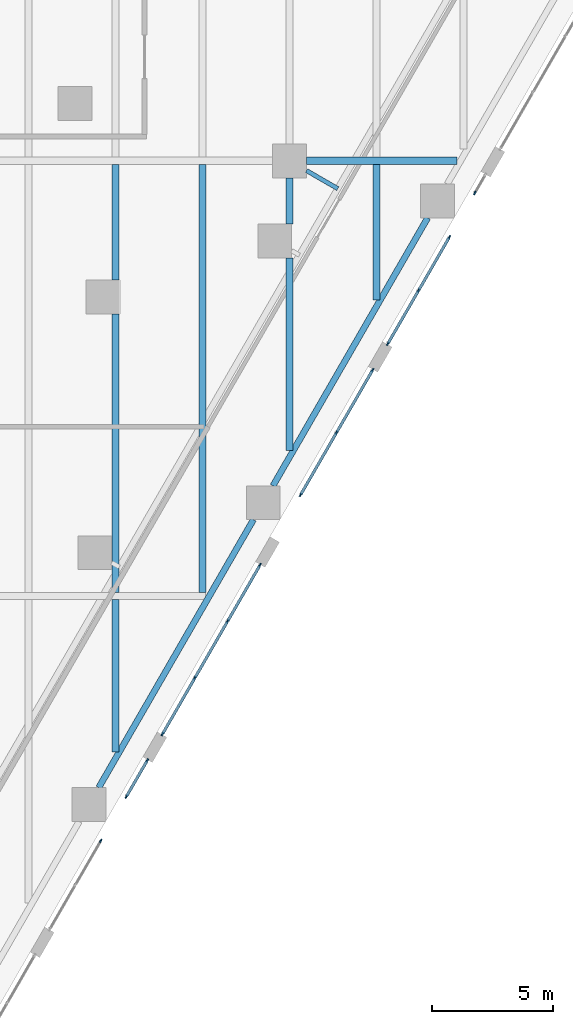
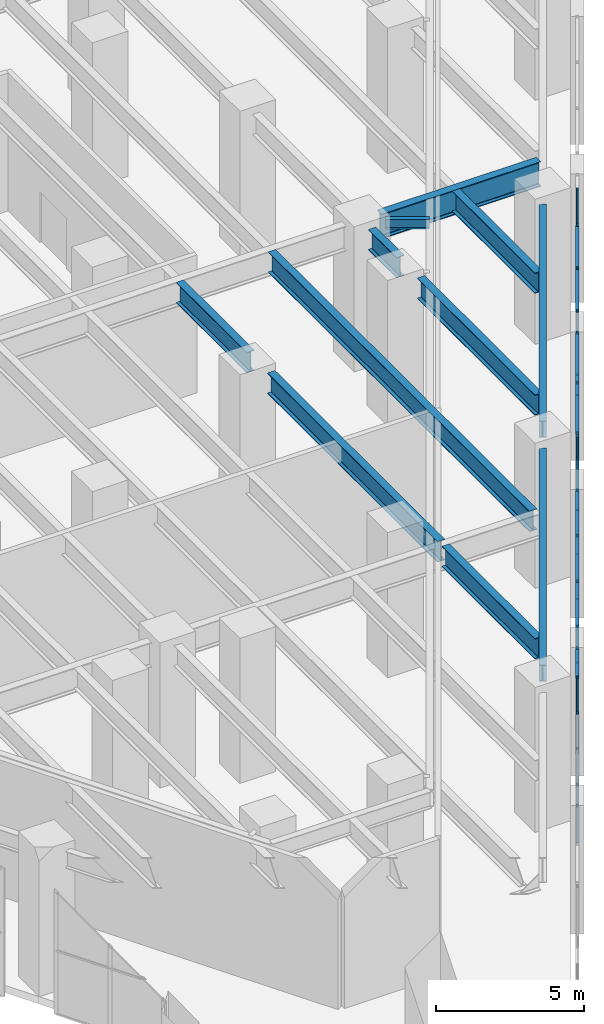
# One storey, part 10 of 37: 38 members, 11 beams, 6 elements without a shape of their own.
"""IFC4 building model written with IfcOpenShell, lengths in metres."""

from ifc_helpers import new_model, si_unit, direction, frame, origin, origin_2d, place, context, subcontext, project, spatial, rectangle, i_section, extrude, material, material_profile, profile_set, type_object, element, aggregate, save


model = new_model("IFC4")

# Units and contexts
model_context = context("Model", 3, precision=1e-05, world=origin(), true_north=direction((0.0, 1.0)))
body_context = subcontext(model_context, "Body", "Model", "MODEL_VIEW")
ifc_project = project(units=[si_unit("LENGTHUNIT", "METRE"), si_unit("AREAUNIT", "SQUARE_METRE"), si_unit("VOLUMEUNIT", "CUBIC_METRE"), si_unit("PLANEANGLEUNIT", "RADIAN"), si_unit("MASSUNIT", "GRAM", prefix="KILO")], contexts=[model_context])

# Site, building, storey
site_placement = place(None, origin())
site = spatial("IfcSite", under=ifc_project, at=site_placement, CompositionType="ELEMENT")
building_placement = place(site_placement, origin())
building = spatial("IfcBuilding", under=site, at=building_placement, Name="Aloe Facet Convention Tower", CompositionType="ELEMENT")
storey_placement = place(building_placement, frame((0.0, 0.0, 7.5)))
storey = spatial("IfcBuildingStorey", under=building, at=storey_placement, Name="L01", CompositionType="ELEMENT", Elevation=7.5)

# Beam
ifc_material_1 = material(Name="Steel S355", Category="steel")
ifc_material_profile_1 = material_profile(ifc_material_1, i_section(OverallWidth=0.177734375, OverallDepth=0.402587890625, WebThickness=0.0078125, FlangeThickness=0.010986328125, FilletRadius=0.01025390625, at=origin_2d()), Name="UB 406x178x54")
ifc_profile_set_1 = profile_set([ifc_material_profile_1], Name="Steel S355")
beam_type_1 = type_object("IfcBeamType", Name="EV-BR-UB406x178x54", PredefinedType="BEAM", material=ifc_profile_set_1)
beam_1_placement = place(storey_placement, frame((98.699951171875, 80.595947265625, 5.498779296875), z_axis=(0.866000409959, -0.500043288077, 0.0), x_axis=(0.500043288077, 0.866000409959, 0.0)))
element("IfcBeam", 1, at=beam_1_placement, inside=storey, type_object=beam_type_1, Name="EB-L02-E-BR01", PredefinedType="BEAM", context=body_context, shape_type="SweptSolid", body=[
    extrude(i_section(OverallWidth=0.177734375, OverallDepth=0.402587890625, WebThickness=0.0078125, FlangeThickness=0.010986328125, FilletRadius=0.01025390625, at=origin_2d()), origin(), (0.0, 0.0, 1.0), 1.492919921875),
])

# Curtain wall, member
ifc_material_2 = material(Name="Aluminium, anodised", Category="aluminium")
curtain_wall_type = type_object("IfcCurtainWallType", Name="EV-CW-SHOP", PredefinedType="USERDEFINED", material=ifc_material_2)
curtain_wall_1_placement = place(storey_placement, origin())
curtain_wall_1 = element("IfcCurtainWall", 2, at=curtain_wall_1_placement, inside=storey, type_object=curtain_wall_type, Name="CW-L01-E04-1", ObjectType="STICK SHOPFRONT GLAZING", PredefinedType="USERDEFINED")
ifc_material_3 = material(Name="Aluminium, anodised", Category="aluminium")
ifc_material_profile_2 = material_profile(ifc_material_3, rectangle(XDim=0.06005859375, YDim=0.159912109375, at=origin_2d()), Name="AL 60x160")
ifc_profile_set_2 = profile_set([ifc_material_profile_2], Name="Aluminium, anodised")
member_type_1 = type_object("IfcMemberType", Name="EV-MULL-SHOP", PredefinedType="MULLION", material=ifc_profile_set_2)
member_1_placement = place(storey_placement, frame((90.190673828125, 52.87109375, -0.300048828125), z_axis=(0.0, 0.0, 1.0), x_axis=(-0.866025403811, 0.499999999955, 0.0)))
member_1 = element("IfcMember", 3, at=member_1_placement, type_object=member_type_1, Name="CW-L01-E04-1 mullion 3", PredefinedType="MULLION", context=body_context, shape_type="SweptSolid", body=[
    extrude(rectangle(XDim=0.06005859375, YDim=0.159912109375, at=origin_2d()), origin(), (0.0, 0.0, 1.0), 5.3125),
])
aggregate(curtain_wall_1, [member_1])

# Curtain wall, members
curtain_wall_2_placement = place(storey_placement, origin())
curtain_wall_2 = element("IfcCurtainWall", 4, at=curtain_wall_2_placement, inside=storey, type_object=curtain_wall_type, Name="CW-L01-E04-2", ObjectType="STICK SHOPFRONT GLAZING", PredefinedType="USERDEFINED")
member_2_placement = place(storey_placement, frame((91.2451171875, 54.697509765625, -0.300048828125), z_axis=(0.0, 0.0, 1.0), x_axis=(-0.866025403715, 0.500000000121, 0.0)))
member_2 = element("IfcMember", 5, at=member_2_placement, type_object=member_type_1, Name="CW-L01-E04-2 mullion 1", PredefinedType="MULLION", context=body_context, shape_type="SweptSolid", body=[
    extrude(rectangle(XDim=0.06005859375, YDim=0.159912109375, at=origin_2d()), origin(), (0.0, 0.0, 1.0), 5.3125),
])
member_3_placement = place(storey_placement, frame((92.111572265625, 56.1982421875, -0.300048828125), z_axis=(0.0, 0.0, 1.0), x_axis=(-0.866025403715, 0.500000000121, 0.0)))
member_3 = element("IfcMember", 6, at=member_3_placement, type_object=member_type_1, Name="CW-L01-E04-2 mullion 2", PredefinedType="MULLION", context=body_context, shape_type="SweptSolid", body=[
    extrude(rectangle(XDim=0.06005859375, YDim=0.159912109375, at=origin_2d()), origin(), (0.0, 0.0, 1.0), 5.3125),
])

curtain_wall_3_placement = place(storey_placement, origin())
curtain_wall_3 = element("IfcCurtainWall", 7, at=curtain_wall_3_placement, inside=storey, type_object=curtain_wall_type, Name="CW-L01-E06", ObjectType="STICK SHOPFRONT GLAZING", PredefinedType="USERDEFINED")
member_4_placement = place(storey_placement, frame((92.741455078125, 57.28955078125, -0.300048828125), z_axis=(0.0, 0.0, 1.0), x_axis=(-0.866025403828, 0.499999999924, 0.0)))
member_4 = element("IfcMember", 8, at=member_4_placement, type_object=member_type_1, Name="CW-L01-E06 mullion 1", PredefinedType="MULLION", context=body_context, shape_type="SweptSolid", body=[
    extrude(rectangle(XDim=0.06005859375, YDim=0.159912109375, at=origin_2d()), origin(), (0.0, 0.0, 1.0), 5.3125),
])
member_5_placement = place(storey_placement, frame((94.080078125, 59.60791015625, -0.300048828125), z_axis=(0.0, 0.0, 1.0), x_axis=(-0.866025403828, 0.499999999924, 0.0)))
member_5 = element("IfcMember", 9, at=member_5_placement, type_object=member_type_1, Name="CW-L01-E06 mullion 2", PredefinedType="MULLION", context=body_context, shape_type="SweptSolid", body=[
    extrude(rectangle(XDim=0.06005859375, YDim=0.159912109375, at=origin_2d()), origin(), (0.0, 0.0, 1.0), 5.3125),
])
member_6_placement = place(storey_placement, frame((95.43359375, 61.952392578125, -0.300048828125), z_axis=(0.0, 0.0, 1.0), x_axis=(-0.866025403828, 0.499999999924, 0.0)))
member_6 = element("IfcMember", 10, at=member_6_placement, type_object=member_type_1, Name="CW-L01-E06 mullion 3", PredefinedType="MULLION", context=body_context, shape_type="SweptSolid", body=[
    extrude(rectangle(XDim=0.06005859375, YDim=0.159912109375, at=origin_2d()), origin(), (0.0, 0.0, 1.0), 5.3125),
])
member_7_placement = place(storey_placement, frame((96.772216796875, 64.270751953125, -0.300048828125), z_axis=(0.0, 0.0, 1.0), x_axis=(-0.866025403828, 0.499999999924, 0.0)))
member_7 = element("IfcMember", 11, at=member_7_placement, type_object=member_type_1, Name="CW-L01-E06 mullion 4", PredefinedType="MULLION", context=body_context, shape_type="SweptSolid", body=[
    extrude(rectangle(XDim=0.06005859375, YDim=0.159912109375, at=origin_2d()), origin(), (0.0, 0.0, 1.0), 5.3125),
])

curtain_wall_4_placement = place(storey_placement, origin())
curtain_wall_4 = element("IfcCurtainWall", 12, at=curtain_wall_4_placement, inside=storey, type_object=curtain_wall_type, Name="CW-L01-E08", ObjectType="STICK SHOPFRONT GLAZING", PredefinedType="USERDEFINED")
member_8_placement = place(storey_placement, frame((98.45361328125, 67.182861328125, -0.300048828125), z_axis=(0.0, 0.0, 1.0), x_axis=(-0.866025403767, 0.50000000003, 0.0)))
member_8 = element("IfcMember", 13, at=member_8_placement, type_object=member_type_1, Name="CW-L01-E08 mullion 1", PredefinedType="MULLION", context=body_context, shape_type="SweptSolid", body=[
    extrude(rectangle(XDim=0.06005859375, YDim=0.159912109375, at=origin_2d()), origin(), (0.0, 0.0, 1.0), 5.3125),
])
member_9_placement = place(storey_placement, frame((99.943115234375, 69.76318359375, -0.300048828125), z_axis=(0.0, 0.0, 1.0), x_axis=(-0.866025403767, 0.50000000003, 0.0)))
member_9 = element("IfcMember", 14, at=member_9_placement, type_object=member_type_1, Name="CW-L01-E08 mullion 2", PredefinedType="MULLION", context=body_context, shape_type="SweptSolid", body=[
    extrude(rectangle(XDim=0.06005859375, YDim=0.159912109375, at=origin_2d()), origin(), (0.0, 0.0, 1.0), 5.3125),
])
member_10_placement = place(storey_placement, frame((101.432861328125, 72.34326171875, -0.300048828125), z_axis=(0.0, 0.0, 1.0), x_axis=(-0.866025403767, 0.50000000003, 0.0)))
member_10 = element("IfcMember", 15, at=member_10_placement, type_object=member_type_1, Name="CW-L01-E08 mullion 3", PredefinedType="MULLION", context=body_context, shape_type="SweptSolid", body=[
    extrude(rectangle(XDim=0.06005859375, YDim=0.159912109375, at=origin_2d()), origin(), (0.0, 0.0, 1.0), 5.3125),
])

curtain_wall_5_placement = place(storey_placement, origin())
curtain_wall_5 = element("IfcCurtainWall", 16, at=curtain_wall_5_placement, inside=storey, type_object=curtain_wall_type, Name="CW-L01-E10-1", ObjectType="STICK SHOPFRONT GLAZING", PredefinedType="USERDEFINED")
member_11_placement = place(storey_placement, frame((102.06298828125, 73.4345703125, -0.300048828125), z_axis=(0.0, 0.0, 1.0), x_axis=(-0.866025403767, 0.50000000003, 0.0)))
member_11 = element("IfcMember", 17, at=member_11_placement, type_object=member_type_1, Name="CW-L01-E10-1 mullion 1", PredefinedType="MULLION", context=body_context, shape_type="SweptSolid", body=[
    extrude(rectangle(XDim=0.06005859375, YDim=0.159912109375, at=origin_2d()), origin(), (0.0, 0.0, 1.0), 5.3125),
])
member_12_placement = place(storey_placement, frame((103.335205078125, 75.638427734375, -0.300048828125), z_axis=(0.0, 0.0, 1.0), x_axis=(-0.866025403767, 0.50000000003, 0.0)))
member_12 = element("IfcMember", 18, at=member_12_placement, type_object=member_type_1, Name="CW-L01-E10-1 mullion 2", PredefinedType="MULLION", context=body_context, shape_type="SweptSolid", body=[
    extrude(rectangle(XDim=0.06005859375, YDim=0.159912109375, at=origin_2d()), origin(), (0.0, 0.0, 1.0), 5.3125),
])
member_13_placement = place(storey_placement, frame((104.607666015625, 77.842041015625, -0.300048828125), z_axis=(0.0, 0.0, 1.0), x_axis=(-0.866025403767, 0.50000000003, 0.0)))
member_13 = element("IfcMember", 19, at=member_13_placement, type_object=member_type_1, Name="CW-L01-E10-1 mullion 3", PredefinedType="MULLION", context=body_context, shape_type="SweptSolid", body=[
    extrude(rectangle(XDim=0.06005859375, YDim=0.159912109375, at=origin_2d()), origin(), (0.0, 0.0, 1.0), 5.3125),
])

# Curtain wall, member
curtain_wall_6_placement = place(storey_placement, origin())
curtain_wall_6 = element("IfcCurtainWall", 20, at=curtain_wall_6_placement, inside=storey, type_object=curtain_wall_type, Name="CW-L01-E10-2", ObjectType="STICK SHOPFRONT GLAZING", PredefinedType="USERDEFINED")
member_14_placement = place(storey_placement, frame((105.662109375, 79.668701171875, -0.300048828125), z_axis=(0.0, 0.0, 1.0), x_axis=(-0.866025403872, 0.499999999849, 0.0)))
member_14 = element("IfcMember", 21, at=member_14_placement, type_object=member_type_1, Name="CW-L01-E10-2 mullion 1", PredefinedType="MULLION", context=body_context, shape_type="SweptSolid", body=[
    extrude(rectangle(XDim=0.06005859375, YDim=0.159912109375, at=origin_2d()), origin(), (0.0, 0.0, 1.0), 5.3125),
])
aggregate(curtain_wall_6, [member_14])

# Member
ifc_material_4 = material(Name="Aluminium, anodised", Category="aluminium")
ifc_material_profile_3 = material_profile(ifc_material_4, rectangle(XDim=0.1201171875, YDim=0.06005859375, at=origin_2d()), Name="AL 120x60")
ifc_profile_set_3 = profile_set([ifc_material_profile_3], Name="Aluminium, anodised")
member_type_2 = type_object("IfcMemberType", Name="EV-TRAN-SHOP", PredefinedType="USERDEFINED", material=ifc_profile_set_3)
member_15_placement = place(storey_placement, frame((91.260009765625, 54.7236328125, -0.27001953125), z_axis=(0.500000383388, 0.866025182435, 0.0), x_axis=(-0.866025182435, 0.500000383388, 0.0)))
member_15 = element("IfcMember", 22, at=member_15_placement, type_object=member_type_2, Name="CW-L01-E04-2 transom 1.1", ObjectType="TRANSOM", PredefinedType="USERDEFINED", context=body_context, shape_type="SweptSolid", body=[
    extrude(rectangle(XDim=0.1201171875, YDim=0.06005859375, at=origin_2d()), origin(), (0.0, 0.0, 1.0), 1.6728515625),
])

member_16_placement = place(storey_placement, frame((91.260009765625, 54.7236328125, 2.356201171875), z_axis=(0.500000383388, 0.866025182435, 0.0), x_axis=(-0.866025182435, 0.500000383388, 0.0)))
member_16 = element("IfcMember", 23, at=member_16_placement, type_object=member_type_2, Name="CW-L01-E04-2 transom 1.2", ObjectType="TRANSOM", PredefinedType="USERDEFINED", context=body_context, shape_type="SweptSolid", body=[
    extrude(rectangle(XDim=0.1201171875, YDim=0.06005859375, at=origin_2d()), origin(), (0.0, 0.0, 1.0), 1.6728515625),
])

member_17_placement = place(storey_placement, frame((91.260009765625, 54.7236328125, 4.982421875), z_axis=(0.500000383388, 0.866025182435, 0.0), x_axis=(-0.866025182435, 0.500000383388, 0.0)))
member_17 = element("IfcMember", 24, at=member_17_placement, type_object=member_type_2, Name="CW-L01-E04-2 transom 1.3", ObjectType="TRANSOM", PredefinedType="USERDEFINED", context=body_context, shape_type="SweptSolid", body=[
    extrude(rectangle(XDim=0.1201171875, YDim=0.06005859375, at=origin_2d()), origin(), (0.0, 0.0, 1.0), 1.6728515625),
])

aggregate(curtain_wall_2, [member_2, member_3, member_15, member_16, member_17])

member_18_placement = place(storey_placement, frame((92.756591796875, 57.3154296875, -0.27001953125), z_axis=(0.49999161165, 0.866030246746, 0.0), x_axis=(-0.866030246746, 0.49999161165, 0.0)))
member_18 = element("IfcMember", 25, at=member_18_placement, type_object=member_type_2, Name="CW-L01-E06 transom 1.1", ObjectType="TRANSOM", PredefinedType="USERDEFINED", context=body_context, shape_type="SweptSolid", body=[
    extrude(rectangle(XDim=0.1201171875, YDim=0.06005859375, at=origin_2d()), origin(), (0.0, 0.0, 1.0), 2.6171875),
])

member_19_placement = place(storey_placement, frame((92.756591796875, 57.3154296875, 2.356201171875), z_axis=(0.49999161165, 0.866030246746, 0.0), x_axis=(-0.866030246746, 0.49999161165, 0.0)))
member_19 = element("IfcMember", 26, at=member_19_placement, type_object=member_type_2, Name="CW-L01-E06 transom 1.2", ObjectType="TRANSOM", PredefinedType="USERDEFINED", context=body_context, shape_type="SweptSolid", body=[
    extrude(rectangle(XDim=0.1201171875, YDim=0.06005859375, at=origin_2d()), origin(), (0.0, 0.0, 1.0), 2.6171875),
])

member_20_placement = place(storey_placement, frame((92.756591796875, 57.3154296875, 4.982421875), z_axis=(0.49999161165, 0.866030246746, 0.0), x_axis=(-0.866030246746, 0.49999161165, 0.0)))
member_20 = element("IfcMember", 27, at=member_20_placement, type_object=member_type_2, Name="CW-L01-E06 transom 1.3", ObjectType="TRANSOM", PredefinedType="USERDEFINED", context=body_context, shape_type="SweptSolid", body=[
    extrude(rectangle(XDim=0.1201171875, YDim=0.06005859375, at=origin_2d()), origin(), (0.0, 0.0, 1.0), 2.6171875),
])

member_21_placement = place(storey_placement, frame((94.094970703125, 59.6337890625, -0.27001953125), z_axis=(0.500047101561, 0.865998207978, 0.0), x_axis=(-0.865998207978, 0.500047101561, 0.0)))
member_21 = element("IfcMember", 28, at=member_21_placement, type_object=member_type_2, Name="CW-L01-E06 transom 2.1", ObjectType="TRANSOM", PredefinedType="USERDEFINED", context=body_context, shape_type="SweptSolid", body=[
    extrude(rectangle(XDim=0.1201171875, YDim=0.06005859375, at=origin_2d()), origin(), (0.0, 0.0, 1.0), 2.647216796875),
])

member_22_placement = place(storey_placement, frame((94.094970703125, 59.6337890625, 2.356201171875), z_axis=(0.500047101561, 0.865998207978, 0.0), x_axis=(-0.865998207978, 0.500047101561, 0.0)))
member_22 = element("IfcMember", 29, at=member_22_placement, type_object=member_type_2, Name="CW-L01-E06 transom 2.2", ObjectType="TRANSOM", PredefinedType="USERDEFINED", context=body_context, shape_type="SweptSolid", body=[
    extrude(rectangle(XDim=0.1201171875, YDim=0.06005859375, at=origin_2d()), origin(), (0.0, 0.0, 1.0), 2.647216796875),
])

member_23_placement = place(storey_placement, frame((94.094970703125, 59.6337890625, 4.982421875), z_axis=(0.500047101561, 0.865998207978, 0.0), x_axis=(-0.865998207978, 0.500047101561, 0.0)))
member_23 = element("IfcMember", 30, at=member_23_placement, type_object=member_type_2, Name="CW-L01-E06 transom 2.3", ObjectType="TRANSOM", PredefinedType="USERDEFINED", context=body_context, shape_type="SweptSolid", body=[
    extrude(rectangle(XDim=0.1201171875, YDim=0.06005859375, at=origin_2d()), origin(), (0.0, 0.0, 1.0), 2.647216796875),
])

member_24_placement = place(storey_placement, frame((95.44873046875, 61.978271484375, -0.27001953125), z_axis=(0.49992164446, 0.86607063765, 0.0), x_axis=(-0.86607063765, 0.49992164446, 0.0)))
member_24 = element("IfcMember", 31, at=member_24_placement, type_object=member_type_2, Name="CW-L01-E06 transom 3.1", ObjectType="TRANSOM", PredefinedType="USERDEFINED", context=body_context, shape_type="SweptSolid", body=[
    extrude(rectangle(XDim=0.1201171875, YDim=0.06005859375, at=origin_2d()), origin(), (0.0, 0.0, 1.0), 2.6171875),
])

member_25_placement = place(storey_placement, frame((95.44873046875, 61.978271484375, 2.356201171875), z_axis=(0.49992164446, 0.86607063765, 0.0), x_axis=(-0.86607063765, 0.49992164446, 0.0)))
member_25 = element("IfcMember", 32, at=member_25_placement, type_object=member_type_2, Name="CW-L01-E06 transom 3.2", ObjectType="TRANSOM", PredefinedType="USERDEFINED", context=body_context, shape_type="SweptSolid", body=[
    extrude(rectangle(XDim=0.1201171875, YDim=0.06005859375, at=origin_2d()), origin(), (0.0, 0.0, 1.0), 2.6171875),
])

member_26_placement = place(storey_placement, frame((95.44873046875, 61.978271484375, 4.982421875), z_axis=(0.49992164446, 0.86607063765, 0.0), x_axis=(-0.86607063765, 0.49992164446, 0.0)))
member_26 = element("IfcMember", 33, at=member_26_placement, type_object=member_type_2, Name="CW-L01-E06 transom 3.3", ObjectType="TRANSOM", PredefinedType="USERDEFINED", context=body_context, shape_type="SweptSolid", body=[
    extrude(rectangle(XDim=0.1201171875, YDim=0.06005859375, at=origin_2d()), origin(), (0.0, 0.0, 1.0), 2.6171875),
])

aggregate(curtain_wall_3, [member_4, member_5, member_6, member_7, member_18, member_19, member_20, member_21, member_22, member_23, member_24, member_25, member_26])

member_27_placement = place(storey_placement, frame((98.468505859375, 67.208984375, -0.27001953125), z_axis=(0.500033742649, 0.86600592158, 0.0), x_axis=(-0.86600592158, 0.500033742649, 0.0)))
member_27 = element("IfcMember", 34, at=member_27_placement, type_object=member_type_2, Name="CW-L01-E08 transom 1.1", ObjectType="TRANSOM", PredefinedType="USERDEFINED", context=body_context, shape_type="SweptSolid", body=[
    extrude(rectangle(XDim=0.1201171875, YDim=0.06005859375, at=origin_2d()), origin(), (0.0, 0.0, 1.0), 2.919189453125),
])

member_28_placement = place(storey_placement, frame((98.468505859375, 67.208984375, 2.356201171875), z_axis=(0.500033742649, 0.86600592158, 0.0), x_axis=(-0.86600592158, 0.500033742649, 0.0)))
member_28 = element("IfcMember", 35, at=member_28_placement, type_object=member_type_2, Name="CW-L01-E08 transom 1.2", ObjectType="TRANSOM", PredefinedType="USERDEFINED", context=body_context, shape_type="SweptSolid", body=[
    extrude(rectangle(XDim=0.1201171875, YDim=0.06005859375, at=origin_2d()), origin(), (0.0, 0.0, 1.0), 2.919189453125),
])

member_29_placement = place(storey_placement, frame((98.468505859375, 67.208984375, 4.982421875), z_axis=(0.500033742649, 0.86600592158, 0.0), x_axis=(-0.86600592158, 0.500033742649, 0.0)))
member_29 = element("IfcMember", 36, at=member_29_placement, type_object=member_type_2, Name="CW-L01-E08 transom 1.3", ObjectType="TRANSOM", PredefinedType="USERDEFINED", context=body_context, shape_type="SweptSolid", body=[
    extrude(rectangle(XDim=0.1201171875, YDim=0.06005859375, at=origin_2d()), origin(), (0.0, 0.0, 1.0), 2.919189453125),
])

member_30_placement = place(storey_placement, frame((99.958251953125, 69.7890625, -0.27001953125), z_axis=(0.499997529631, 0.866026830048, 0.0), x_axis=(-0.866026830048, 0.499997529631, 0.0)))
member_30 = element("IfcMember", 37, at=member_30_placement, type_object=member_type_2, Name="CW-L01-E08 transom 2.1", ObjectType="TRANSOM", PredefinedType="USERDEFINED", context=body_context, shape_type="SweptSolid", body=[
    extrude(rectangle(XDim=0.1201171875, YDim=0.06005859375, at=origin_2d()), origin(), (0.0, 0.0, 1.0), 2.91943359375),
])

member_31_placement = place(storey_placement, frame((99.958251953125, 69.7890625, 2.356201171875), z_axis=(0.499997529631, 0.866026830048, 0.0), x_axis=(-0.866026830048, 0.499997529631, 0.0)))
member_31 = element("IfcMember", 38, at=member_31_placement, type_object=member_type_2, Name="CW-L01-E08 transom 2.2", ObjectType="TRANSOM", PredefinedType="USERDEFINED", context=body_context, shape_type="SweptSolid", body=[
    extrude(rectangle(XDim=0.1201171875, YDim=0.06005859375, at=origin_2d()), origin(), (0.0, 0.0, 1.0), 2.91943359375),
])

member_32_placement = place(storey_placement, frame((99.958251953125, 69.7890625, 4.982421875), z_axis=(0.499997529631, 0.866026830048, 0.0), x_axis=(-0.866026830048, 0.499997529631, 0.0)))
member_32 = element("IfcMember", 39, at=member_32_placement, type_object=member_type_2, Name="CW-L01-E08 transom 2.3", ObjectType="TRANSOM", PredefinedType="USERDEFINED", context=body_context, shape_type="SweptSolid", body=[
    extrude(rectangle(XDim=0.1201171875, YDim=0.06005859375, at=origin_2d()), origin(), (0.0, 0.0, 1.0), 2.91943359375),
])

aggregate(curtain_wall_4, [member_8, member_9, member_10, member_27, member_28, member_29, member_30, member_31, member_32])

member_33_placement = place(storey_placement, frame((102.077880859375, 73.46044921875, -0.27001953125), z_axis=(0.50001729717, 0.866015417028, 0.0), x_axis=(-0.866015417028, 0.50001729717, 0.0)))
member_33 = element("IfcMember", 40, at=member_33_placement, type_object=member_type_2, Name="CW-L01-E10-1 transom 1.1", ObjectType="TRANSOM", PredefinedType="USERDEFINED", context=body_context, shape_type="SweptSolid", body=[
    extrude(rectangle(XDim=0.1201171875, YDim=0.06005859375, at=origin_2d()), origin(), (0.0, 0.0, 1.0), 2.48486328125),
])

member_34_placement = place(storey_placement, frame((102.077880859375, 73.46044921875, 2.356201171875), z_axis=(0.50001729717, 0.866015417028, 0.0), x_axis=(-0.866015417028, 0.50001729717, 0.0)))
member_34 = element("IfcMember", 41, at=member_34_placement, type_object=member_type_2, Name="CW-L01-E10-1 transom 1.2", ObjectType="TRANSOM", PredefinedType="USERDEFINED", context=body_context, shape_type="SweptSolid", body=[
    extrude(rectangle(XDim=0.1201171875, YDim=0.06005859375, at=origin_2d()), origin(), (0.0, 0.0, 1.0), 2.48486328125),
])

member_35_placement = place(storey_placement, frame((102.077880859375, 73.46044921875, 4.982421875), z_axis=(0.50001729717, 0.866015417028, 0.0), x_axis=(-0.866015417028, 0.50001729717, 0.0)))
member_35 = element("IfcMember", 42, at=member_35_placement, type_object=member_type_2, Name="CW-L01-E10-1 transom 1.3", ObjectType="TRANSOM", PredefinedType="USERDEFINED", context=body_context, shape_type="SweptSolid", body=[
    extrude(rectangle(XDim=0.1201171875, YDim=0.06005859375, at=origin_2d()), origin(), (0.0, 0.0, 1.0), 2.48486328125),
])

member_36_placement = place(storey_placement, frame((103.350341796875, 75.664306640625, -0.27001953125), z_axis=(0.499943602543, 0.866057962423, 0.0), x_axis=(-0.866057962423, 0.499943602543, 0.0)))
member_36 = element("IfcMember", 43, at=member_36_placement, type_object=member_type_2, Name="CW-L01-E10-1 transom 2.1", ObjectType="TRANSOM", PredefinedType="USERDEFINED", context=body_context, shape_type="SweptSolid", body=[
    extrude(rectangle(XDim=0.1201171875, YDim=0.06005859375, at=origin_2d()), origin(), (0.0, 0.0, 1.0), 2.484619140625),
])

member_37_placement = place(storey_placement, frame((103.350341796875, 75.664306640625, 2.356201171875), z_axis=(0.499943602543, 0.866057962423, 0.0), x_axis=(-0.866057962423, 0.499943602543, 0.0)))
member_37 = element("IfcMember", 44, at=member_37_placement, type_object=member_type_2, Name="CW-L01-E10-1 transom 2.2", ObjectType="TRANSOM", PredefinedType="USERDEFINED", context=body_context, shape_type="SweptSolid", body=[
    extrude(rectangle(XDim=0.1201171875, YDim=0.06005859375, at=origin_2d()), origin(), (0.0, 0.0, 1.0), 2.484619140625),
])

member_38_placement = place(storey_placement, frame((103.350341796875, 75.664306640625, 4.982421875), z_axis=(0.499943602543, 0.866057962423, 0.0), x_axis=(-0.866057962423, 0.499943602543, 0.0)))
member_38 = element("IfcMember", 45, at=member_38_placement, type_object=member_type_2, Name="CW-L01-E10-1 transom 2.3", ObjectType="TRANSOM", PredefinedType="USERDEFINED", context=body_context, shape_type="SweptSolid", body=[
    extrude(rectangle(XDim=0.1201171875, YDim=0.06005859375, at=origin_2d()), origin(), (0.0, 0.0, 1.0), 2.484619140625),
])

aggregate(curtain_wall_5, [member_11, member_12, member_13, member_33, member_34, member_35, member_36, member_37, member_38])

# Beams
ifc_material_5 = material(Name="Steel S355", Category="steel")
ifc_material_profile_4 = material_profile(ifc_material_5, i_section(OverallWidth=0.305419921875, OverallDepth=1.02587890625, WebThickness=0.02001953125, FlangeThickness=0.031005859375, FilletRadius=0.030029296875, at=origin_2d()), Name="UB 1016x305x349")
ifc_profile_set_4 = profile_set([ifc_material_profile_4], Name="Steel S355")
beam_type_2 = type_object("IfcBeamType", Name="SF-B-UB1016x305x349", PredefinedType="BEAM", material=ifc_profile_set_4)
beam_2_placement = place(storey_placement, frame((98.699951171875, 81.0, 5.18701171875), z_axis=(1.0, 0.0, 0.0), x_axis=(0.0, 1.0, 0.0)))
element("IfcBeam", 46, at=beam_2_placement, inside=storey, type_object=beam_type_2, Name="Floor beam FB-L02-045", PredefinedType="BEAM", context=body_context, shape_type="SweptSolid", body=[
    extrude(i_section(OverallWidth=0.305419921875, OverallDepth=1.02587890625, WebThickness=0.02001953125, FlangeThickness=0.031005859375, FilletRadius=0.030029296875, at=origin_2d()), origin(), (0.0, 0.0, 1.0), 6.217041015625),
])
ifc_material_6 = material(Name="Steel S355", Category="steel")
ifc_material_profile_5 = material_profile(ifc_material_6, i_section(OverallWidth=0.25439453125, OverallDepth=0.6875, WebThickness=0.01318359375, FlangeThickness=0.02099609375, FilletRadius=0.01513671875, at=origin_2d()), Name="UB 686x254x152")
ifc_profile_set_5 = profile_set([ifc_material_profile_5], Name="Steel S355")
beam_type_3 = type_object("IfcBeamType", Name="SF-B-UB686x254x152", PredefinedType="BEAM", material=ifc_profile_set_5)
beam_3_placement = place(storey_placement, frame((96.50439453125, 66.156982421875, 5.356201171875), z_axis=(-0.499999833739, -0.866025499775, 0.0), x_axis=(0.866025499775, -0.499999833739, 0.0)))
element("IfcBeam", 47, at=beam_3_placement, inside=storey, type_object=beam_type_3, Name="Floor beam FB-L02-018", PredefinedType="BEAM", context=body_context, shape_type="SweptSolid", body=[
    extrude(i_section(OverallWidth=0.25439453125, OverallDepth=0.6875, WebThickness=0.01318359375, FlangeThickness=0.02099609375, FilletRadius=0.01513671875, at=origin_2d()), origin(), (0.0, 0.0, 1.0), 12.7998046875),
])
beam_4_placement = place(storey_placement, frame((103.713134765625, 78.64306640625, 5.356201171875), z_axis=(-0.499987149722, -0.866032822769, 0.0), x_axis=(0.866032822769, -0.499987149722, 0.0)))
element("IfcBeam", 48, at=beam_4_placement, inside=storey, type_object=beam_type_3, Name="Floor beam FB-L02-019", PredefinedType="BEAM", context=body_context, shape_type="SweptSolid", body=[
    extrude(i_section(OverallWidth=0.25439453125, OverallDepth=0.6875, WebThickness=0.01318359375, FlangeThickness=0.02099609375, FilletRadius=0.01513671875, at=origin_2d()), origin(), (0.0, 0.0, 1.0), 12.801025390625),
])
ifc_material_7 = material(Name="Steel S355", Category="steel")
ifc_material_profile_6 = material_profile(ifc_material_7, i_section(OverallWidth=0.293701171875, OverallDepth=0.850830078125, WebThickness=0.01611328125, FlangeThickness=0.02685546875, FilletRadius=0.017822265625, at=origin_2d()), Name="UB 838x292x226")
ifc_profile_set_6 = profile_set([ifc_material_profile_6], Name="Steel S355")
beam_type_4 = type_object("IfcBeamType", Name="SF-B-UB838x292x226", PredefinedType="BEAM", material=ifc_profile_set_6)
beam_5_placement = place(storey_placement, frame((90.800048828125, 56.541259765625, 5.2744140625), z_axis=(0.0, 1.0, 0.0), x_axis=(-1.0, 0.0, 0.0)))
element("IfcBeam", 49, at=beam_5_placement, inside=storey, type_object=beam_type_4, Name="Floor beam FB-L02-126", PredefinedType="BEAM", context=body_context, shape_type="SweptSolid", body=[
    extrude(i_section(OverallWidth=0.293701171875, OverallDepth=0.850830078125, WebThickness=0.01611328125, FlangeThickness=0.02685546875, FilletRadius=0.017822265625, at=origin_2d()), origin(), (0.0, 0.0, 1.0), 6.30615234375),
])
beam_6_placement = place(storey_placement, frame((90.800048828125, 63.152587890625, 5.2744140625), z_axis=(0.0, 1.0, 0.0), x_axis=(-1.0, 0.0, 0.0)))
element("IfcBeam", 50, at=beam_6_placement, inside=storey, type_object=beam_type_4, Name="Floor beam FB-L02-127", PredefinedType="BEAM", context=body_context, shape_type="SweptSolid", body=[
    extrude(i_section(OverallWidth=0.293701171875, OverallDepth=0.850830078125, WebThickness=0.01611328125, FlangeThickness=0.02685546875, FilletRadius=0.017822265625, at=origin_2d()), origin(), (0.0, 0.0, 1.0), 11.513427734375),
])
beam_7_placement = place(storey_placement, frame((90.800048828125, 76.06591796875, 5.2744140625), z_axis=(0.0, 1.0, 0.0), x_axis=(-1.0, 0.0, 0.0)))
element("IfcBeam", 51, at=beam_7_placement, inside=storey, type_object=beam_type_4, Name="Floor beam FB-L02-128", PredefinedType="BEAM", context=body_context, shape_type="SweptSolid", body=[
    extrude(i_section(OverallWidth=0.293701171875, OverallDepth=0.850830078125, WebThickness=0.01611328125, FlangeThickness=0.02685546875, FilletRadius=0.017822265625, at=origin_2d()), origin(), (0.0, 0.0, 1.0), 4.781494140625),
])
beam_8_placement = place(storey_placement, frame((94.39990234375, 63.152587890625, 5.2744140625), z_axis=(0.0, 1.0, 0.0), x_axis=(-1.0, 0.0, 0.0)))
element("IfcBeam", 52, at=beam_8_placement, inside=storey, type_object=beam_type_4, Name="Floor beam FB-L02-132", PredefinedType="BEAM", context=body_context, shape_type="SweptSolid", body=[
    extrude(i_section(OverallWidth=0.293701171875, OverallDepth=0.850830078125, WebThickness=0.01611328125, FlangeThickness=0.02685546875, FilletRadius=0.017822265625, at=origin_2d()), origin(), (0.0, 0.0, 1.0), 17.69482421875),
])
beam_9_placement = place(storey_placement, frame((98.0, 69.011962890625, 5.2744140625), z_axis=(0.0, 1.0, 0.0), x_axis=(-1.0, 0.0, 0.0)))
element("IfcBeam", 53, at=beam_9_placement, inside=storey, type_object=beam_type_4, Name="Floor beam FB-L02-136", PredefinedType="BEAM", context=body_context, shape_type="SweptSolid", body=[
    extrude(i_section(OverallWidth=0.293701171875, OverallDepth=0.850830078125, WebThickness=0.01611328125, FlangeThickness=0.02685546875, FilletRadius=0.017822265625, at=origin_2d()), origin(), (0.0, 0.0, 1.0), 7.97412109375),
])
beam_10_placement = place(storey_placement, frame((98.0, 78.385986328125, 5.2744140625), z_axis=(0.0, 1.0, 0.0), x_axis=(-1.0, 0.0, 0.0)))
element("IfcBeam", 54, at=beam_10_placement, inside=storey, type_object=beam_type_4, Name="Floor beam FB-L02-137", PredefinedType="BEAM", context=body_context, shape_type="SweptSolid", body=[
    extrude(i_section(OverallWidth=0.293701171875, OverallDepth=0.850830078125, WebThickness=0.01611328125, FlangeThickness=0.02685546875, FilletRadius=0.017822265625, at=origin_2d()), origin(), (0.0, 0.0, 1.0), 1.9140625),
])
beam_11_placement = place(storey_placement, frame((101.60009765625, 75.247314453125, 5.2744140625), z_axis=(0.0, 1.0, 0.0), x_axis=(-1.0, 0.0, 0.0)))
element("IfcBeam", 55, at=beam_11_placement, inside=storey, type_object=beam_type_4, Name="Floor beam FB-L02-142", PredefinedType="BEAM", context=body_context, shape_type="SweptSolid", body=[
    extrude(i_section(OverallWidth=0.293701171875, OverallDepth=0.850830078125, WebThickness=0.01611328125, FlangeThickness=0.02685546875, FilletRadius=0.017822265625, at=origin_2d()), origin(), (0.0, 0.0, 1.0), 5.60009765625),
])

save(model, "model.ifc")
